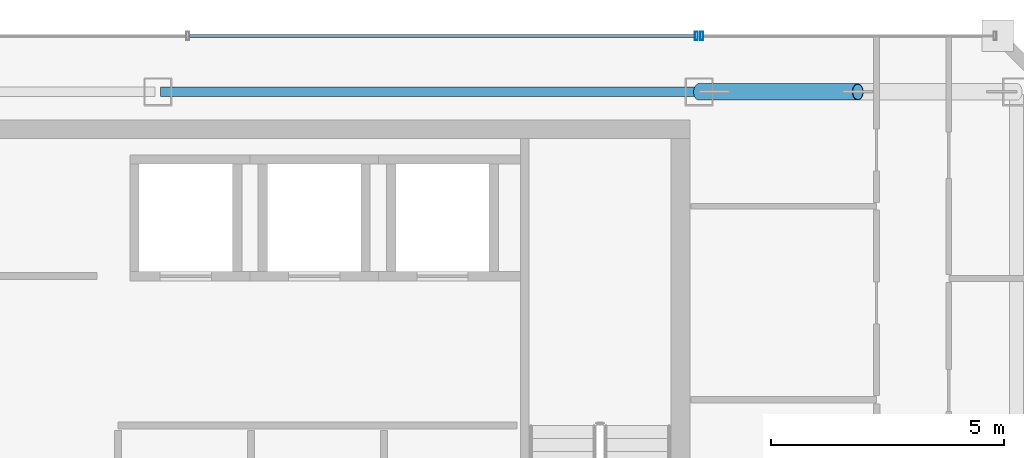
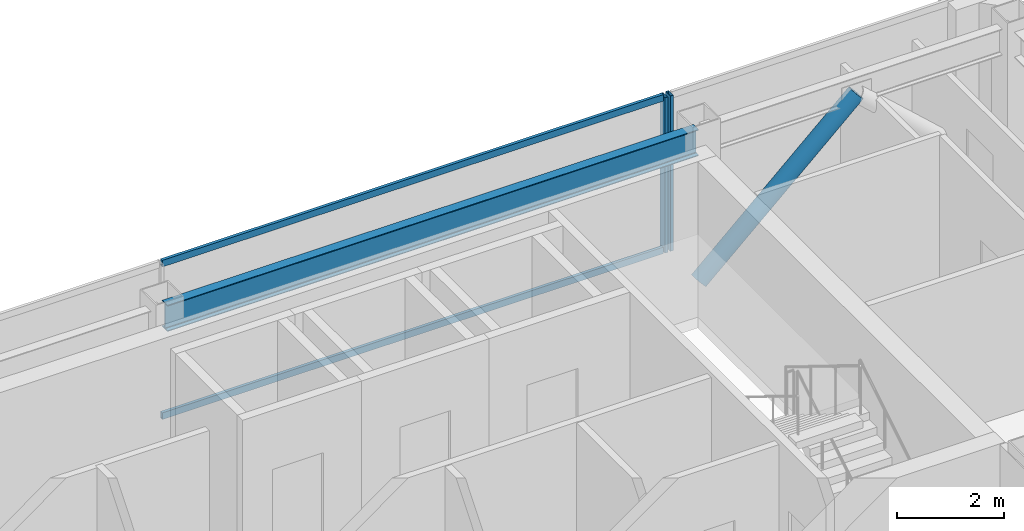
# One storey, part 23 of 32: 5 members, 1 beam, 2 elements without a shape of their own.
"""IFC4 building model written with IfcOpenShell, lengths in metres."""

from ifc_helpers import new_model, si_unit, direction, frame, origin, origin_2d, place, context, subcontext, project, spatial, hollow_rectangle, hollow_circle, i_section, extrude, material, material_profile, profile_set, type_object, element, aggregate, save


model = new_model("IFC4")

# Units and contexts
model_context = context("Model", 3, precision=1e-05, world=origin(), true_north=direction((0.0, 1.0)))
body_context = subcontext(model_context, "Body", "Model", "MODEL_VIEW")
ifc_project = project(units=[si_unit("LENGTHUNIT", "METRE"), si_unit("AREAUNIT", "SQUARE_METRE"), si_unit("VOLUMEUNIT", "CUBIC_METRE"), si_unit("PLANEANGLEUNIT", "RADIAN"), si_unit("MASSUNIT", "GRAM", prefix="KILO")], contexts=[model_context])

# Site, building, storey
site_placement = place(None, origin())
site = spatial("IfcSite", under=ifc_project, at=site_placement, CompositionType="ELEMENT")
building_placement = place(site_placement, origin())
building = spatial("IfcBuilding", under=site, at=building_placement, Name="Saevonmaru Cultural Tower", CompositionType="ELEMENT")
storey_placement = place(building_placement, frame((0.0, 0.0, 264.800048828125)))
storey = spatial("IfcBuildingStorey", under=building, at=storey_placement, Name="L62", CompositionType="ELEMENT", Elevation=264.800048828125)

# Beam
ifc_material_1 = material(Name="Steel SM355", Category="steel")
ifc_material_profile_1 = material_profile(ifc_material_1, i_section(OverallWidth=0.199951171875, OverallDepth=0.60009765625, WebThickness=0.010986328125, FlangeThickness=0.01708984375, FilletRadius=0.02197265625, at=origin_2d()), Name="H-600x200x11x17")
ifc_profile_set_1 = profile_set([ifc_material_profile_1], Name="Steel SM355")
beam_type = type_object("IfcBeamType", Name="BM-SP-H600", PredefinedType="SPANDREL", material=ifc_profile_set_1)
beam_placement = place(storey_placement, frame((34.860107421875, 54.800048828125, 3.25), z_axis=(1.0, 0.0, 0.0), x_axis=(0.0, 1.0, 0.0)))
element("IfcBeam", 1, at=beam_placement, inside=storey, type_object=beam_type, Name="L62 North Spine Girder 4", PredefinedType="SPANDREL", context=body_context, shape_type="SweptSolid", body=[
    extrude(i_section(OverallWidth=0.199951171875, OverallDepth=0.60009765625, WebThickness=0.010986328125, FlangeThickness=0.01708984375, FilletRadius=0.02197265625, at=origin_2d()), origin(), (0.0, 0.0, 1.0), 11.47998046875),
])

# Member
ifc_material_profile_2 = material_profile(ifc_material_1, hollow_circle(Radius=0.177734375, WallThickness=0.01611328125, at=origin_2d()), Name="CHS-355.6x16")
ifc_profile_set_2 = profile_set([ifc_material_profile_2], Name="Steel SM355")
member_type_1 = type_object("IfcMemberType", Name="MB-PBR-CHS356", PredefinedType="BRACE", material=ifc_profile_set_2)
member_1_placement = place(storey_placement, frame((46.39990234375, 54.800048828125, 0.02001953125), z_axis=(0.738986146064, 0.0, 0.673720621568), x_axis=(0.0, 1.0, 0.0)))
element("IfcMember", 2, at=member_1_placement, inside=storey, type_object=member_type_1, Name="L62 Perimeter Braced-Tube Diagonal EN1", PredefinedType="BRACE", context=body_context, shape_type="SweptSolid", body=[
    extrude(hollow_circle(Radius=0.177734375, WallThickness=0.01611328125, at=origin_2d()), origin(), (0.0, 0.0, 1.0), 4.60107421875),
])

# Curtain wall, member
ifc_material_2 = material(Name="Satin Bronze Anodised Aluminium", Category="aluminium")
curtain_wall_type = type_object("IfcCurtainWallType", Name="CW-TYP-B", PredefinedType="NOTDEFINED", material=ifc_material_2)
curtain_wall_1_placement = place(storey_placement, origin())
curtain_wall_1 = element("IfcCurtainWall", 3, at=curtain_wall_1_placement, inside=storey, type_object=curtain_wall_type, Name="L62 East Braced Bay Spandrel Curtain Wall E10A", PredefinedType="NOTDEFINED")
ifc_material_profile_3 = material_profile(ifc_material_2, hollow_rectangle(XDim=0.06494140625, YDim=0.179931640625, WallThickness=0.00390625, at=origin_2d()), Name="ALU-MULL-180x65x4")
ifc_profile_set_3 = profile_set([ifc_material_profile_3], Name="Satin Bronze Anodised Aluminium")
member_type_2 = type_object("IfcMemberType", Name="ML-CW-180x65", PredefinedType="MULLION", material=ifc_profile_set_3)
member_2_placement = place(storey_placement, frame((46.4599609375, 56.0, 0.0), z_axis=(0.0, 0.0, 1.0), x_axis=(-1.0, 0.0, 0.0)))
member_2 = element("IfcMember", 4, at=member_2_placement, type_object=member_type_2, Name="CW-TW-L62-E10A mullion 2", PredefinedType="MULLION", context=body_context, shape_type="SweptSolid", body=[
    extrude(hollow_rectangle(XDim=0.06494140625, YDim=0.179931640625, WallThickness=0.00390625, at=origin_2d()), origin(), (0.0, 0.0, 1.0), 3.550048828125),
])
aggregate(curtain_wall_1, [member_2])

# Curtain wall, members
curtain_wall_2_placement = place(storey_placement, origin())
curtain_wall_2 = element("IfcCurtainWall", 5, at=curtain_wall_2_placement, inside=storey, type_object=curtain_wall_type, Name="L62 North Spine Unitised Curtain Wall E10B", PredefinedType="NOTDEFINED")
member_3_placement = place(storey_placement, frame((46.340087890625, 56.0, 0.0), z_axis=(0.0, 0.0, 1.0), x_axis=(-1.0, 0.0, 0.0)))
member_3 = element("IfcMember", 6, at=member_3_placement, type_object=member_type_2, Name="CW-TW-L62-E10B mullion 1", PredefinedType="MULLION", context=body_context, shape_type="SweptSolid", body=[
    extrude(hollow_rectangle(XDim=0.06494140625, YDim=0.179931640625, WallThickness=0.00390625, at=origin_2d()), origin(), (0.0, 0.0, 1.0), 3.550048828125),
])
ifc_material_profile_4 = material_profile(ifc_material_2, hollow_rectangle(XDim=0.06494140625, YDim=0.14990234375, WallThickness=0.00390625, at=origin_2d()), Name="ALU-TRAN-150x65x4")
ifc_profile_set_4 = profile_set([ifc_material_profile_4], Name="Satin Bronze Anodised Aluminium")
member_type_3 = type_object("IfcMemberType", Name="TR-CW-150x65", PredefinedType="USERDEFINED", material=ifc_profile_set_4)
member_4_placement = place(storey_placement, frame((46.3076171875, 56.0, 0.032470703125), z_axis=(-1.0, 0.0, 0.0), x_axis=(0.0, -1.0, 0.0)))
member_4 = element("IfcMember", 7, at=member_4_placement, type_object=member_type_3, Name="CW-TW-L62-E10B transom 1.1", ObjectType="TRANSOM", PredefinedType="USERDEFINED", context=body_context, shape_type="SweptSolid", body=[
    extrude(hollow_rectangle(XDim=0.06494140625, YDim=0.14990234375, WallThickness=0.00390625, at=origin_2d()), origin(), (0.0, 0.0, 1.0), 10.828369140625),
])
member_5_placement = place(storey_placement, frame((46.3076171875, 56.0, 3.517333984375), z_axis=(-1.0, 0.0, 0.0), x_axis=(0.0, -1.0, 0.0)))
member_5 = element("IfcMember", 8, at=member_5_placement, type_object=member_type_3, Name="CW-TW-L62-E10B transom 1.2", ObjectType="TRANSOM", PredefinedType="USERDEFINED", context=body_context, shape_type="SweptSolid", body=[
    extrude(hollow_rectangle(XDim=0.06494140625, YDim=0.14990234375, WallThickness=0.00390625, at=origin_2d()), origin(), (0.0, 0.0, 1.0), 10.828369140625),
])
aggregate(curtain_wall_2, [member_3, member_4, member_5])

save(model, "model.ifc")
